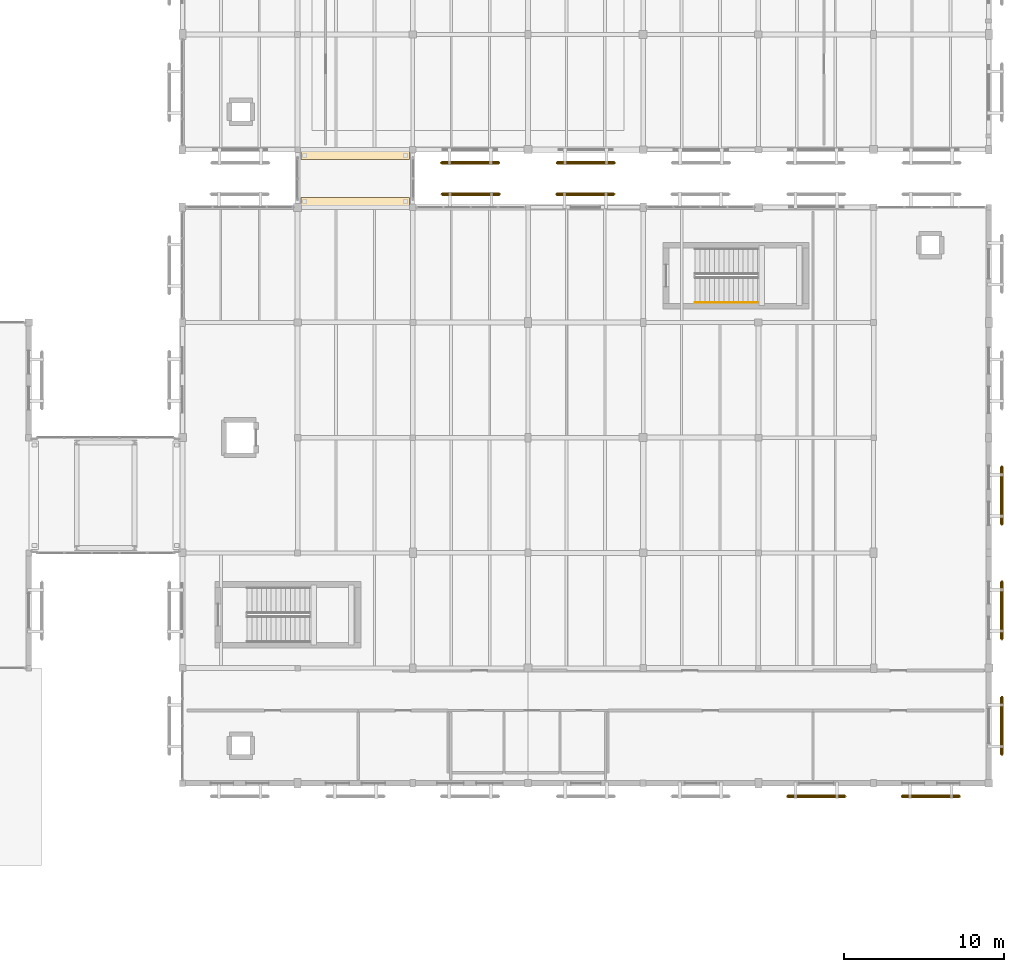
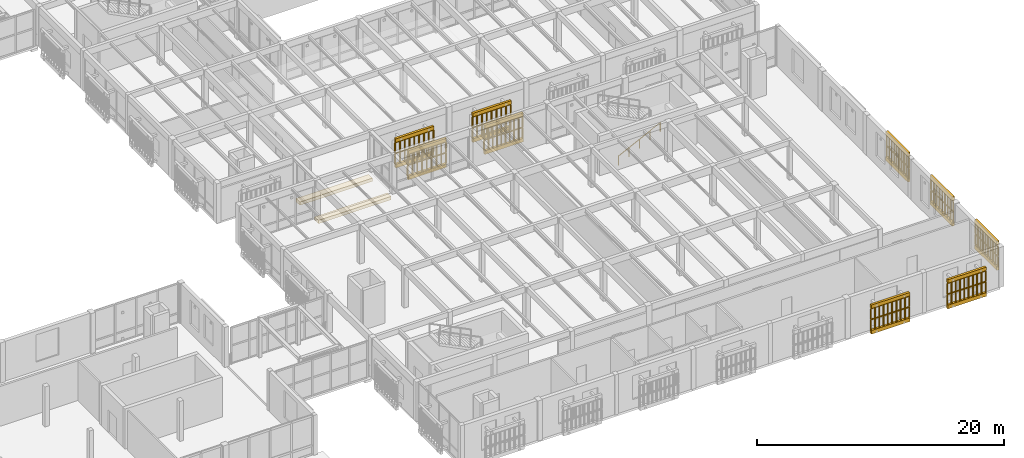
# One storey, part 211 of 217: 20 coverings, 19 railings.
"""IFC4 building model written with IfcOpenShell, lengths in metres."""

from ifc_helpers import new_model, si_unit, direction, frame, origin, origin_2d, place, context, subcontext, project, spatial, polyline, circle, outline, extrude, material, layer, layer_set, type_object, element, save


model = new_model("IFC4")

# Units and contexts
model_context = context("Model", 3, precision=1e-05, world=origin(), true_north=direction((0.0, 1.0)))
body_context = subcontext(model_context, "Body", "Model", "MODEL_VIEW")
ifc_project = project(units=[si_unit("LENGTHUNIT", "METRE"), si_unit("AREAUNIT", "SQUARE_METRE"), si_unit("VOLUMEUNIT", "CUBIC_METRE"), si_unit("PLANEANGLEUNIT", "RADIAN"), si_unit("MASSUNIT", "GRAM", prefix="KILO")], contexts=[model_context])

# Site, building, storey
site_placement = place(None, origin())
site = spatial("IfcSite", under=ifc_project, at=site_placement, CompositionType="ELEMENT")
building_placement = place(site_placement, origin())
building = spatial("IfcBuilding", under=site, at=building_placement, Name="Mazaris Harbour Polytechnic", CompositionType="ELEMENT")
storey_placement = place(building_placement, frame((0.0, 0.0, 9.60009765625)))
storey = spatial("IfcBuildingStorey", under=building, at=storey_placement, Name="L02", CompositionType="ELEMENT", Elevation=9.60009765625)

# Coverings
ifc_material_1 = material(Name="Concrete C40/50", Category="concrete")
ifc_layer_1 = layer(ifc_material_1, 0.320068359375, Name="Concrete C40/50")
ifc_layer_set_1 = layer_set([ifc_layer_1], Name="Concrete C40/50")
covering_type_1 = type_object("IfcCoveringType", Name="Bridge Bearing Corbel 600 Exterior", PredefinedType="CLADDING", material=ifc_layer_set_1)
covering_1_placement = place(storey_placement, frame((0.0, 0.0, -0.650146484375)))
element("IfcCovering", 1, at=covering_1_placement, inside=storey, type_object=covering_type_1, Name="PB-NE L02 600mm Bridge Bearing Seat Corbel S", PredefinedType="CLADDING", context=body_context, shape_type="SweptSolid", body=[
    extrude(outline(polyline([(129.800048828125, 43.199951171875), (136.60009765625, 43.199951171875), (136.60009765625, 43.800048828125), (129.800048828125, 43.800048828125), (129.800048828125, 43.199951171875)])), origin(), (0.0, 0.0, 1.0), 0.320068359375),
])
covering_2_placement = place(storey_placement, frame((0.0, 0.0, -0.650146484375)))
element("IfcCovering", 2, at=covering_2_placement, inside=storey, type_object=covering_type_1, Name="PB-NE L02 600mm Bridge Bearing Seat Corbel N", PredefinedType="CLADDING", context=body_context, shape_type="SweptSolid", body=[
    extrude(outline(polyline([(129.800048828125, 46.199951171875), (136.60009765625, 46.199951171875), (136.60009765625, 46.800048828125), (129.800048828125, 46.800048828125), (129.800048828125, 46.199951171875)])), origin(), (0.0, 0.0, 1.0), 0.320068359375),
])

# Railings
ifc_material_2 = material(Name="Perforated Earth-Coloured Terracotta Block", Category="masonry")
railing_type_1 = type_object("IfcRailingType", Name="Perforated Earth-Block Claustra Lattice 1040", PredefinedType="BALUSTRADE", material=ifc_material_2)
for number, where, name in (
    (3, (163.820068359375, 6.3798828125, 0.52001953125), "V2 L02 Lower Perforated Terracotta Block Screen 72"),
    (4, (163.820068359375, 6.3798828125, 1.60986328125), "V2 L02 Upper Perforated Terracotta Block Screen 72"),
    (5, (170.97509765625, 6.3798828125, 0.52001953125), "V2 L02 Lower Perforated Terracotta Block Screen 73"),
    (6, (170.97509765625, 6.3798828125, 1.60986328125), "V2 L02 Upper Perforated Terracotta Block Screen 73"),
):
    element("IfcRailing", number, at=place(storey_placement, frame(where)), inside=storey, type_object=railing_type_1, Name=name, PredefinedType="BALUSTRADE", context=body_context, shape_type="SweptSolid", body=[
        extrude(circle(Radius=0.06982421875, at=origin_2d()), frame((0.0, 0.0, 1.02001953125), z_axis=(-1.0, 0.0, 0.0), x_axis=(0.0, -1.0, 0.0)), (0.0, 0.0, 1.0), 3.60009765625),
        extrude(circle(Radius=0.074951171875, at=origin_2d()), origin(), (0.0, 0.0, 1.0), 0.9501953125),
        extrude(circle(Radius=0.074951171875, at=origin_2d()), frame((-0.39990234375, 0.0, 0.0)), (0.0, 0.0, 1.0), 0.9501953125),
        extrude(circle(Radius=0.074951171875, at=origin_2d()), frame((-0.800048828125, 0.0, 0.0)), (0.0, 0.0, 1.0), 0.9501953125),
        extrude(circle(Radius=0.074951171875, at=origin_2d()), frame((-1.199951171875, 0.0, 0.0)), (0.0, 0.0, 1.0), 0.9501953125),
        extrude(circle(Radius=0.074951171875, at=origin_2d()), frame((-1.60009765625, 0.0, 0.0)), (0.0, 0.0, 1.0), 0.9501953125),
        extrude(circle(Radius=0.074951171875, at=origin_2d()), frame((-2.0, 0.0, 0.0)), (0.0, 0.0, 1.0), 0.9501953125),
        extrude(circle(Radius=0.074951171875, at=origin_2d()), frame((-2.400146484375, 0.0, 0.0)), (0.0, 0.0, 1.0), 0.9501953125),
        extrude(circle(Radius=0.074951171875, at=origin_2d()), frame((-2.800048828125, 0.0, 0.0)), (0.0, 0.0, 1.0), 0.9501953125),
        extrude(circle(Radius=0.074951171875, at=origin_2d()), frame((-3.2001953125, 0.0, 0.0)), (0.0, 0.0, 1.0), 0.9501953125),
        extrude(circle(Radius=0.074951171875, at=origin_2d()), frame((-3.60009765625, 0.0, 0.0)), (0.0, 0.0, 1.0), 0.9501953125),
    ])
for number, where, name in (
    (7, (138.6201171875, 44.02001953125, 0.52001953125), "V2 L02 Lower Perforated Terracotta Block Screen 75"),
    (8, (138.6201171875, 44.02001953125, 1.60986328125), "V2 L02 Upper Perforated Terracotta Block Screen 75"),
):
    element("IfcRailing", number, at=place(storey_placement, frame(where)), inside=storey, type_object=railing_type_1, Name=name, PredefinedType="BALUSTRADE", context=body_context, shape_type="SweptSolid", body=[
        extrude(circle(Radius=0.06982421875, at=origin_2d()), frame((0.0, 0.0, 1.02001953125), z_axis=(1.0, 0.0, 0.0), x_axis=(0.0, 1.0, 0.0)), (0.0, 0.0, 1.0), 3.599853515625),
        extrude(circle(Radius=0.074951171875, at=origin_2d()), origin(), (0.0, 0.0, 1.0), 0.9501953125),
        extrude(circle(Radius=0.074951171875, at=origin_2d()), frame((0.449951171875, 0.0, 0.0)), (0.0, 0.0, 1.0), 0.9501953125),
        extrude(circle(Radius=0.074951171875, at=origin_2d()), frame((0.89990234375, 0.0, 0.0)), (0.0, 0.0, 1.0), 0.9501953125),
        extrude(circle(Radius=0.074951171875, at=origin_2d()), frame((1.349853515625, 0.0, 0.0)), (0.0, 0.0, 1.0), 0.9501953125),
        extrude(circle(Radius=0.074951171875, at=origin_2d()), frame((1.7998046875, 0.0, 0.0)), (0.0, 0.0, 1.0), 0.9501953125),
        extrude(circle(Radius=0.074951171875, at=origin_2d()), frame((2.25, 0.0, 0.0)), (0.0, 0.0, 1.0), 0.9501953125),
        extrude(circle(Radius=0.074951171875, at=origin_2d()), frame((2.699951171875, 0.0, 0.0)), (0.0, 0.0, 1.0), 0.9501953125),
        extrude(circle(Radius=0.074951171875, at=origin_2d()), frame((3.14990234375, 0.0, 0.0)), (0.0, 0.0, 1.0), 0.9501953125),
        extrude(circle(Radius=0.074951171875, at=origin_2d()), frame((3.599853515625, 0.0, 0.0)), (0.0, 0.0, 1.0), 0.9501953125),
    ])
for number, where, name in (
    (9, (145.784912109375, 44.02001953125, 0.52001953125), "V2 L02 Lower Perforated Terracotta Block Screen 76"),
    (10, (145.784912109375, 44.02001953125, 1.60986328125), "V2 L02 Upper Perforated Terracotta Block Screen 76"),
):
    element("IfcRailing", number, at=place(storey_placement, frame(where)), inside=storey, type_object=railing_type_1, Name=name, PredefinedType="BALUSTRADE", context=body_context, shape_type="SweptSolid", body=[
        extrude(circle(Radius=0.06982421875, at=origin_2d()), frame((0.0, 0.0, 1.02001953125), z_axis=(1.0, 0.0, 0.0), x_axis=(0.0, 1.0, 0.0)), (0.0, 0.0, 1.0), 3.60009765625),
        extrude(circle(Radius=0.074951171875, at=origin_2d()), origin(), (0.0, 0.0, 1.0), 0.9501953125),
        extrude(circle(Radius=0.074951171875, at=origin_2d()), frame((0.39990234375, 0.0, 0.0)), (0.0, 0.0, 1.0), 0.9501953125),
        extrude(circle(Radius=0.074951171875, at=origin_2d()), frame((0.800048828125, 0.0, 0.0)), (0.0, 0.0, 1.0), 0.9501953125),
        extrude(circle(Radius=0.074951171875, at=origin_2d()), frame((1.199951171875, 0.0, 0.0)), (0.0, 0.0, 1.0), 0.9501953125),
        extrude(circle(Radius=0.074951171875, at=origin_2d()), frame((1.60009765625, 0.0, 0.0)), (0.0, 0.0, 1.0), 0.9501953125),
        extrude(circle(Radius=0.074951171875, at=origin_2d()), frame((2.0, 0.0, 0.0)), (0.0, 0.0, 1.0), 0.9501953125),
        extrude(circle(Radius=0.074951171875, at=origin_2d()), frame((2.400146484375, 0.0, 0.0)), (0.0, 0.0, 1.0), 0.9501953125),
        extrude(circle(Radius=0.074951171875, at=origin_2d()), frame((2.800048828125, 0.0, 0.0)), (0.0, 0.0, 1.0), 0.9501953125),
        extrude(circle(Radius=0.074951171875, at=origin_2d()), frame((3.2001953125, 0.0, 0.0)), (0.0, 0.0, 1.0), 0.9501953125),
        extrude(circle(Radius=0.074951171875, at=origin_2d()), frame((3.60009765625, 0.0, 0.0)), (0.0, 0.0, 1.0), 0.9501953125),
    ])
for number, where, name in (
    (11, (173.6201171875, 12.590087890625, 0.52001953125), "V2 L02 Lower Perforated Terracotta Block Screen 84"),
    (12, (173.6201171875, 12.590087890625, 1.60986328125), "V2 L02 Upper Perforated Terracotta Block Screen 84"),
):
    element("IfcRailing", number, at=place(storey_placement, frame(where)), inside=storey, type_object=railing_type_1, Name=name, PredefinedType="BALUSTRADE", context=body_context, shape_type="SweptSolid", body=[
        extrude(circle(Radius=0.06982421875, at=origin_2d()), frame((0.0, 0.0, 1.02001953125), z_axis=(0.0, -1.0, 0.0), x_axis=(1.0, 0.0, 0.0)), (0.0, 0.0, 1.0), 3.60009765625),
        extrude(circle(Radius=0.074951171875, at=origin_2d()), origin(), (0.0, 0.0, 1.0), 0.9501953125),
        extrude(circle(Radius=0.074951171875, at=origin_2d()), frame((0.0, -0.39990234375, 0.0)), (0.0, 0.0, 1.0), 0.9501953125),
        extrude(circle(Radius=0.074951171875, at=origin_2d()), frame((0.0, -0.800048828125, 0.0)), (0.0, 0.0, 1.0), 0.9501953125),
        extrude(circle(Radius=0.074951171875, at=origin_2d()), frame((0.0, -1.199951171875, 0.0)), (0.0, 0.0, 1.0), 0.9501953125),
        extrude(circle(Radius=0.074951171875, at=origin_2d()), frame((0.0, -1.60009765625, 0.0)), (0.0, 0.0, 1.0), 0.9501953125),
        extrude(circle(Radius=0.074951171875, at=origin_2d()), frame((0.0, -2.0, 0.0)), (0.0, 0.0, 1.0), 0.9501953125),
        extrude(circle(Radius=0.074951171875, at=origin_2d()), frame((0.0, -2.400146484375, 0.0)), (0.0, 0.0, 1.0), 0.9501953125),
        extrude(circle(Radius=0.074951171875, at=origin_2d()), frame((0.0, -2.800048828125, 0.0)), (0.0, 0.0, 1.0), 0.9501953125),
        extrude(circle(Radius=0.074951171875, at=origin_2d()), frame((0.0, -3.2001953125, 0.0)), (0.0, 0.0, 1.0), 0.9501953125),
        extrude(circle(Radius=0.074951171875, at=origin_2d()), frame((0.0, -3.60009765625, 0.0)), (0.0, 0.0, 1.0), 0.9501953125),
    ])
for number, where, name in (
    (13, (173.6201171875, 19.804931640625, 0.52001953125), "V2 L02 Lower Perforated Terracotta Block Screen 85"),
    (14, (173.6201171875, 19.804931640625, 1.60986328125), "V2 L02 Upper Perforated Terracotta Block Screen 85"),
):
    element("IfcRailing", number, at=place(storey_placement, frame(where)), inside=storey, type_object=railing_type_1, Name=name, PredefinedType="BALUSTRADE", context=body_context, shape_type="SweptSolid", body=[
        extrude(circle(Radius=0.06982421875, at=origin_2d()), frame((0.0, 0.0, 1.02001953125), z_axis=(0.0, -1.0, 0.0), x_axis=(1.0, 0.0, 0.0)), (0.0, 0.0, 1.0), 3.599853515625),
        extrude(circle(Radius=0.074951171875, at=origin_2d()), origin(), (0.0, 0.0, 1.0), 0.9501953125),
        extrude(circle(Radius=0.074951171875, at=origin_2d()), frame((0.0, -0.449951171875, 0.0)), (0.0, 0.0, 1.0), 0.9501953125),
        extrude(circle(Radius=0.074951171875, at=origin_2d()), frame((0.0, -0.89990234375, 0.0)), (0.0, 0.0, 1.0), 0.9501953125),
        extrude(circle(Radius=0.074951171875, at=origin_2d()), frame((0.0, -1.349853515625, 0.0)), (0.0, 0.0, 1.0), 0.9501953125),
        extrude(circle(Radius=0.074951171875, at=origin_2d()), frame((0.0, -1.7998046875, 0.0)), (0.0, 0.0, 1.0), 0.9501953125),
        extrude(circle(Radius=0.074951171875, at=origin_2d()), frame((0.0, -2.25, 0.0)), (0.0, 0.0, 1.0), 0.9501953125),
        extrude(circle(Radius=0.074951171875, at=origin_2d()), frame((0.0, -2.699951171875, 0.0)), (0.0, 0.0, 1.0), 0.9501953125),
        extrude(circle(Radius=0.074951171875, at=origin_2d()), frame((0.0, -3.14990234375, 0.0)), (0.0, 0.0, 1.0), 0.9501953125),
        extrude(circle(Radius=0.074951171875, at=origin_2d()), frame((0.0, -3.599853515625, 0.0)), (0.0, 0.0, 1.0), 0.9501953125),
    ])
for number, where, name in (
    (15, (173.6201171875, 26.985107421875, 0.52001953125), "V2 L02 Lower Perforated Terracotta Block Screen 86"),
    (16, (173.6201171875, 26.985107421875, 1.60986328125), "V2 L02 Upper Perforated Terracotta Block Screen 86"),
):
    element("IfcRailing", number, at=place(storey_placement, frame(where)), inside=storey, type_object=railing_type_1, Name=name, PredefinedType="BALUSTRADE", context=body_context, shape_type="SweptSolid", body=[
        extrude(circle(Radius=0.06982421875, at=origin_2d()), frame((0.0, 0.0, 1.02001953125), z_axis=(0.0, -1.0, 0.0), x_axis=(1.0, 0.0, 0.0)), (0.0, 0.0, 1.0), 3.60009765625),
        extrude(circle(Radius=0.074951171875, at=origin_2d()), origin(), (0.0, 0.0, 1.0), 0.9501953125),
        extrude(circle(Radius=0.074951171875, at=origin_2d()), frame((0.0, -0.39990234375, 0.0)), (0.0, 0.0, 1.0), 0.9501953125),
        extrude(circle(Radius=0.074951171875, at=origin_2d()), frame((0.0, -0.800048828125, 0.0)), (0.0, 0.0, 1.0), 0.9501953125),
        extrude(circle(Radius=0.074951171875, at=origin_2d()), frame((0.0, -1.199951171875, 0.0)), (0.0, 0.0, 1.0), 0.9501953125),
        extrude(circle(Radius=0.074951171875, at=origin_2d()), frame((0.0, -1.60009765625, 0.0)), (0.0, 0.0, 1.0), 0.9501953125),
        extrude(circle(Radius=0.074951171875, at=origin_2d()), frame((0.0, -2.0, 0.0)), (0.0, 0.0, 1.0), 0.9501953125),
        extrude(circle(Radius=0.074951171875, at=origin_2d()), frame((0.0, -2.400146484375, 0.0)), (0.0, 0.0, 1.0), 0.9501953125),
        extrude(circle(Radius=0.074951171875, at=origin_2d()), frame((0.0, -2.800048828125, 0.0)), (0.0, 0.0, 1.0), 0.9501953125),
        extrude(circle(Radius=0.074951171875, at=origin_2d()), frame((0.0, -3.2001953125, 0.0)), (0.0, 0.0, 1.0), 0.9501953125),
        extrude(circle(Radius=0.074951171875, at=origin_2d()), frame((0.0, -3.60009765625, 0.0)), (0.0, 0.0, 1.0), 0.9501953125),
    ])
for number, where, name in (
    (17, (142.179931640625, 45.97998046875, 0.52001953125), "V5 L02 Lower Perforated Terracotta Block Screen 407"),
    (18, (142.179931640625, 45.97998046875, 1.60986328125), "V5 L02 Upper Perforated Terracotta Block Screen 407"),
    (19, (149.409912109375, 45.97998046875, 0.52001953125), "V5 L02 Lower Perforated Terracotta Block Screen 408"),
    (20, (149.409912109375, 45.97998046875, 1.60986328125), "V5 L02 Upper Perforated Terracotta Block Screen 408"),
):
    element("IfcRailing", number, at=place(storey_placement, frame(where)), inside=storey, type_object=railing_type_1, Name=name, PredefinedType="BALUSTRADE", context=body_context, shape_type="SweptSolid", body=[
        extrude(circle(Radius=0.06982421875, at=origin_2d()), frame((0.0, 0.0, 1.02001953125), z_axis=(-1.0, 0.0, 0.0), x_axis=(0.0, -1.0, 0.0)), (0.0, 0.0, 1.0), 3.599853515625),
        extrude(circle(Radius=0.074951171875, at=origin_2d()), origin(), (0.0, 0.0, 1.0), 0.9501953125),
        extrude(circle(Radius=0.074951171875, at=origin_2d()), frame((-0.449951171875, 0.0, 0.0)), (0.0, 0.0, 1.0), 0.9501953125),
        extrude(circle(Radius=0.074951171875, at=origin_2d()), frame((-0.89990234375, 0.0, 0.0)), (0.0, 0.0, 1.0), 0.9501953125),
        extrude(circle(Radius=0.074951171875, at=origin_2d()), frame((-1.349853515625, 0.0, 0.0)), (0.0, 0.0, 1.0), 0.9501953125),
        extrude(circle(Radius=0.074951171875, at=origin_2d()), frame((-1.7998046875, 0.0, 0.0)), (0.0, 0.0, 1.0), 0.9501953125),
        extrude(circle(Radius=0.074951171875, at=origin_2d()), frame((-2.25, 0.0, 0.0)), (0.0, 0.0, 1.0), 0.9501953125),
        extrude(circle(Radius=0.074951171875, at=origin_2d()), frame((-2.699951171875, 0.0, 0.0)), (0.0, 0.0, 1.0), 0.9501953125),
        extrude(circle(Radius=0.074951171875, at=origin_2d()), frame((-3.14990234375, 0.0, 0.0)), (0.0, 0.0, 1.0), 0.9501953125),
        extrude(circle(Radius=0.074951171875, at=origin_2d()), frame((-3.599853515625, 0.0, 0.0)), (0.0, 0.0, 1.0), 0.9501953125),
    ])
ifc_material_3 = material(Name="Stainless Steel S355", Category="steel")
railing_type_2 = type_object("IfcRailingType", Name="Stair Wall Handrail 900", PredefinedType="HANDRAIL", material=ifc_material_3)
railing_placement = place(storey_placement, frame((154.449951171875, 37.25, 0.14990234375)))
element("IfcRailing", 21, at=railing_placement, inside=storey, type_object=railing_type_2, Name="L02 ST04 stair handrail 1", PredefinedType="HANDRAIL", context=body_context, shape_type="SweptSolid", body=[
    extrude(circle(Radius=0.02392578125, at=origin_2d()), frame((0.0, 0.0, 0.8759765625), z_axis=(0.894438388696, 0.0, 0.447191199406), x_axis=(0.0, 1.0, 0.0)), (0.0, 0.0, 1.0), 4.3603515625),
    extrude(circle(Radius=0.02099609375, at=origin_2d()), origin(), (0.0, 0.0, 1.0), 0.851806640625),
    extrude(circle(Radius=0.02099609375, at=origin_2d()), frame((0.97509765625, 0.0, 0.487548828125)), (0.0, 0.0, 1.0), 0.851806640625),
    extrude(circle(Radius=0.02099609375, at=origin_2d()), frame((1.9501953125, 0.0, 0.97509765625)), (0.0, 0.0, 1.0), 0.851806640625),
    extrude(circle(Radius=0.02099609375, at=origin_2d()), frame((2.925048828125, 0.0, 1.46240234375)), (0.0, 0.0, 1.0), 0.851806640625),
    extrude(circle(Radius=0.02099609375, at=origin_2d()), frame((3.900146484375, 0.0, 1.949951171875)), (0.0, 0.0, 1.0), 0.851806640625),
])

# Coverings
ifc_material_4 = material(Name="Perforated Earth-Coloured Terracotta Block", Category="masonry")
ifc_layer_2 = layer(ifc_material_4, 0.219970703125, Name="Perforated Earth-Coloured Terracotta Block")
ifc_layer_set_2 = layer_set([ifc_layer_2], Name="Perforated Earth-Coloured Terracotta Block")
covering_type_2 = type_object("IfcCoveringType", Name="Terracotta Screen Course Cladding 220", PredefinedType="CLADDING", material=ifc_layer_set_2)
covering_3_placement = place(storey_placement, frame((0.0, 0.0, 0.159912109375)))
element("IfcCovering", 22, at=covering_3_placement, inside=storey, type_object=covering_type_2, Name="V2 L02 Perforated Screen Sill Course 72", PredefinedType="CLADDING", context=body_context, shape_type="SweptSolid", body=[
    extrude(outline(polyline([(163.820068359375, 6.489990234375), (160.219970703125, 6.489990234375), (160.219970703125, 6.27001953125), (163.820068359375, 6.27001953125), (163.820068359375, 6.489990234375)])), origin(), (0.0, 0.0, 1.0), 0.360107421875),
])
covering_4_placement = place(storey_placement, frame((0.0, 0.0, 2.699951171875)))
element("IfcCovering", 23, at=covering_4_placement, inside=storey, type_object=covering_type_2, Name="V2 L02 Perforated Screen Lintel Course 72", PredefinedType="CLADDING", context=body_context, shape_type="SweptSolid", body=[
    extrude(outline(polyline([(163.820068359375, 6.489990234375), (160.219970703125, 6.489990234375), (160.219970703125, 6.27001953125), (163.820068359375, 6.27001953125), (163.820068359375, 6.489990234375)])), origin(), (0.0, 0.0, 1.0), 0.33984375),
])
covering_5_placement = place(storey_placement, frame((0.0, 0.0, 0.159912109375)))
element("IfcCovering", 24, at=covering_5_placement, inside=storey, type_object=covering_type_2, Name="V2 L02 Perforated Screen Sill Course 73", PredefinedType="CLADDING", context=body_context, shape_type="SweptSolid", body=[
    extrude(outline(polyline([(170.97509765625, 6.489990234375), (167.375, 6.489990234375), (167.375, 6.27001953125), (170.97509765625, 6.27001953125), (170.97509765625, 6.489990234375)])), origin(), (0.0, 0.0, 1.0), 0.360107421875),
])
covering_6_placement = place(storey_placement, frame((0.0, 0.0, 2.699951171875)))
element("IfcCovering", 25, at=covering_6_placement, inside=storey, type_object=covering_type_2, Name="V2 L02 Perforated Screen Lintel Course 73", PredefinedType="CLADDING", context=body_context, shape_type="SweptSolid", body=[
    extrude(outline(polyline([(170.97509765625, 6.489990234375), (167.375, 6.489990234375), (167.375, 6.27001953125), (170.97509765625, 6.27001953125), (170.97509765625, 6.489990234375)])), origin(), (0.0, 0.0, 1.0), 0.33984375),
])
covering_7_placement = place(storey_placement, frame((0.0, 0.0, 0.159912109375)))
element("IfcCovering", 26, at=covering_7_placement, inside=storey, type_object=covering_type_2, Name="V2 L02 Perforated Screen Sill Course 75", PredefinedType="CLADDING", context=body_context, shape_type="SweptSolid", body=[
    extrude(outline(polyline([(138.6201171875, 43.909912109375), (142.219970703125, 43.909912109375), (142.219970703125, 44.1298828125), (138.6201171875, 44.1298828125), (138.6201171875, 43.909912109375)])), origin(), (0.0, 0.0, 1.0), 0.360107421875),
])
covering_8_placement = place(storey_placement, frame((0.0, 0.0, 2.699951171875)))
element("IfcCovering", 27, at=covering_8_placement, inside=storey, type_object=covering_type_2, Name="V2 L02 Perforated Screen Lintel Course 75", PredefinedType="CLADDING", context=body_context, shape_type="SweptSolid", body=[
    extrude(outline(polyline([(138.6201171875, 43.909912109375), (142.219970703125, 43.909912109375), (142.219970703125, 44.1298828125), (138.6201171875, 44.1298828125), (138.6201171875, 43.909912109375)])), origin(), (0.0, 0.0, 1.0), 0.33984375),
])
covering_9_placement = place(storey_placement, frame((0.0, 0.0, 0.159912109375)))
element("IfcCovering", 28, at=covering_9_placement, inside=storey, type_object=covering_type_2, Name="V2 L02 Perforated Screen Sill Course 76", PredefinedType="CLADDING", context=body_context, shape_type="SweptSolid", body=[
    extrude(outline(polyline([(145.784912109375, 43.909912109375), (149.385009765625, 43.909912109375), (149.385009765625, 44.1298828125), (145.784912109375, 44.1298828125), (145.784912109375, 43.909912109375)])), origin(), (0.0, 0.0, 1.0), 0.360107421875),
])
covering_10_placement = place(storey_placement, frame((0.0, 0.0, 2.699951171875)))
element("IfcCovering", 29, at=covering_10_placement, inside=storey, type_object=covering_type_2, Name="V2 L02 Perforated Screen Lintel Course 76", PredefinedType="CLADDING", context=body_context, shape_type="SweptSolid", body=[
    extrude(outline(polyline([(145.784912109375, 43.909912109375), (149.385009765625, 43.909912109375), (149.385009765625, 44.1298828125), (145.784912109375, 44.1298828125), (145.784912109375, 43.909912109375)])), origin(), (0.0, 0.0, 1.0), 0.33984375),
])
covering_11_placement = place(storey_placement, frame((0.0, 0.0, 0.159912109375)))
element("IfcCovering", 30, at=covering_11_placement, inside=storey, type_object=covering_type_2, Name="V2 L02 Perforated Screen Sill Course 84", PredefinedType="CLADDING", context=body_context, shape_type="SweptSolid", body=[
    extrude(outline(polyline([(173.510009765625, 12.590087890625), (173.510009765625, 8.989990234375), (173.72998046875, 8.989990234375), (173.72998046875, 12.590087890625), (173.510009765625, 12.590087890625)])), origin(), (0.0, 0.0, 1.0), 0.360107421875),
])
covering_12_placement = place(storey_placement, frame((0.0, 0.0, 2.699951171875)))
element("IfcCovering", 31, at=covering_12_placement, inside=storey, type_object=covering_type_2, Name="V2 L02 Perforated Screen Lintel Course 84", PredefinedType="CLADDING", context=body_context, shape_type="SweptSolid", body=[
    extrude(outline(polyline([(173.510009765625, 12.590087890625), (173.510009765625, 8.989990234375), (173.72998046875, 8.989990234375), (173.72998046875, 12.590087890625), (173.510009765625, 12.590087890625)])), origin(), (0.0, 0.0, 1.0), 0.33984375),
])
covering_13_placement = place(storey_placement, frame((0.0, 0.0, 0.159912109375)))
element("IfcCovering", 32, at=covering_13_placement, inside=storey, type_object=covering_type_2, Name="V2 L02 Perforated Screen Sill Course 85", PredefinedType="CLADDING", context=body_context, shape_type="SweptSolid", body=[
    extrude(outline(polyline([(173.510009765625, 19.804931640625), (173.510009765625, 16.205078125), (173.72998046875, 16.205078125), (173.72998046875, 19.804931640625), (173.510009765625, 19.804931640625)])), origin(), (0.0, 0.0, 1.0), 0.360107421875),
])
covering_14_placement = place(storey_placement, frame((0.0, 0.0, 2.699951171875)))
element("IfcCovering", 33, at=covering_14_placement, inside=storey, type_object=covering_type_2, Name="V2 L02 Perforated Screen Lintel Course 85", PredefinedType="CLADDING", context=body_context, shape_type="SweptSolid", body=[
    extrude(outline(polyline([(173.510009765625, 19.804931640625), (173.510009765625, 16.205078125), (173.72998046875, 16.205078125), (173.72998046875, 19.804931640625), (173.510009765625, 19.804931640625)])), origin(), (0.0, 0.0, 1.0), 0.33984375),
])
covering_15_placement = place(storey_placement, frame((0.0, 0.0, 0.159912109375)))
element("IfcCovering", 34, at=covering_15_placement, inside=storey, type_object=covering_type_2, Name="V2 L02 Perforated Screen Sill Course 86", PredefinedType="CLADDING", context=body_context, shape_type="SweptSolid", body=[
    extrude(outline(polyline([(173.510009765625, 26.985107421875), (173.510009765625, 23.385009765625), (173.72998046875, 23.385009765625), (173.72998046875, 26.985107421875), (173.510009765625, 26.985107421875)])), origin(), (0.0, 0.0, 1.0), 0.360107421875),
])
covering_16_placement = place(storey_placement, frame((0.0, 0.0, 2.699951171875)))
element("IfcCovering", 35, at=covering_16_placement, inside=storey, type_object=covering_type_2, Name="V2 L02 Perforated Screen Lintel Course 86", PredefinedType="CLADDING", context=body_context, shape_type="SweptSolid", body=[
    extrude(outline(polyline([(173.510009765625, 26.985107421875), (173.510009765625, 23.385009765625), (173.72998046875, 23.385009765625), (173.72998046875, 26.985107421875), (173.510009765625, 26.985107421875)])), origin(), (0.0, 0.0, 1.0), 0.33984375),
])
covering_17_placement = place(storey_placement, frame((0.0, 0.0, 0.159912109375)))
element("IfcCovering", 36, at=covering_17_placement, inside=storey, type_object=covering_type_2, Name="V5 L02 Perforated Screen Sill Course 407", PredefinedType="CLADDING", context=body_context, shape_type="SweptSolid", body=[
    extrude(outline(polyline([(142.179931640625, 46.090087890625), (138.580078125, 46.090087890625), (138.580078125, 45.8701171875), (142.179931640625, 45.8701171875), (142.179931640625, 46.090087890625)])), origin(), (0.0, 0.0, 1.0), 0.360107421875),
])
covering_18_placement = place(storey_placement, frame((0.0, 0.0, 2.699951171875)))
element("IfcCovering", 37, at=covering_18_placement, inside=storey, type_object=covering_type_2, Name="V5 L02 Perforated Screen Lintel Course 407", PredefinedType="CLADDING", context=body_context, shape_type="SweptSolid", body=[
    extrude(outline(polyline([(142.179931640625, 46.090087890625), (138.580078125, 46.090087890625), (138.580078125, 45.8701171875), (142.179931640625, 45.8701171875), (142.179931640625, 46.090087890625)])), origin(), (0.0, 0.0, 1.0), 0.33984375),
])
covering_19_placement = place(storey_placement, frame((0.0, 0.0, 0.159912109375)))
element("IfcCovering", 38, at=covering_19_placement, inside=storey, type_object=covering_type_2, Name="V5 L02 Perforated Screen Sill Course 408", PredefinedType="CLADDING", context=body_context, shape_type="SweptSolid", body=[
    extrude(outline(polyline([(149.409912109375, 46.090087890625), (145.81005859375, 46.090087890625), (145.81005859375, 45.8701171875), (149.409912109375, 45.8701171875), (149.409912109375, 46.090087890625)])), origin(), (0.0, 0.0, 1.0), 0.360107421875),
])
covering_20_placement = place(storey_placement, frame((0.0, 0.0, 2.699951171875)))
element("IfcCovering", 39, at=covering_20_placement, inside=storey, type_object=covering_type_2, Name="V5 L02 Perforated Screen Lintel Course 408", PredefinedType="CLADDING", context=body_context, shape_type="SweptSolid", body=[
    extrude(outline(polyline([(149.409912109375, 46.090087890625), (145.81005859375, 46.090087890625), (145.81005859375, 45.8701171875), (149.409912109375, 45.8701171875), (149.409912109375, 46.090087890625)])), origin(), (0.0, 0.0, 1.0), 0.33984375),
])

save(model, "model.ifc")
